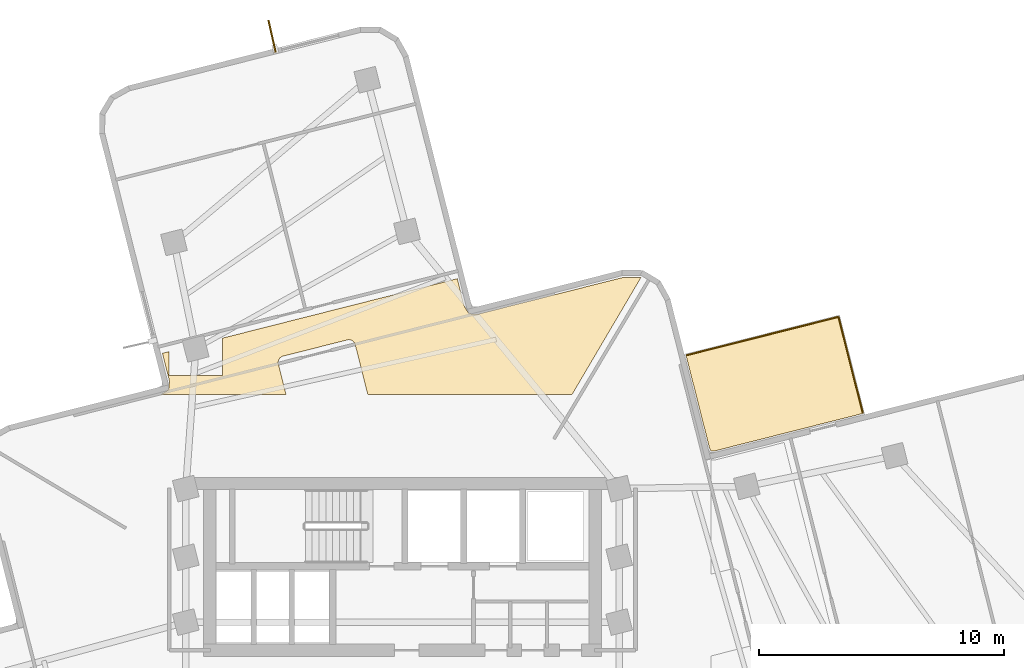
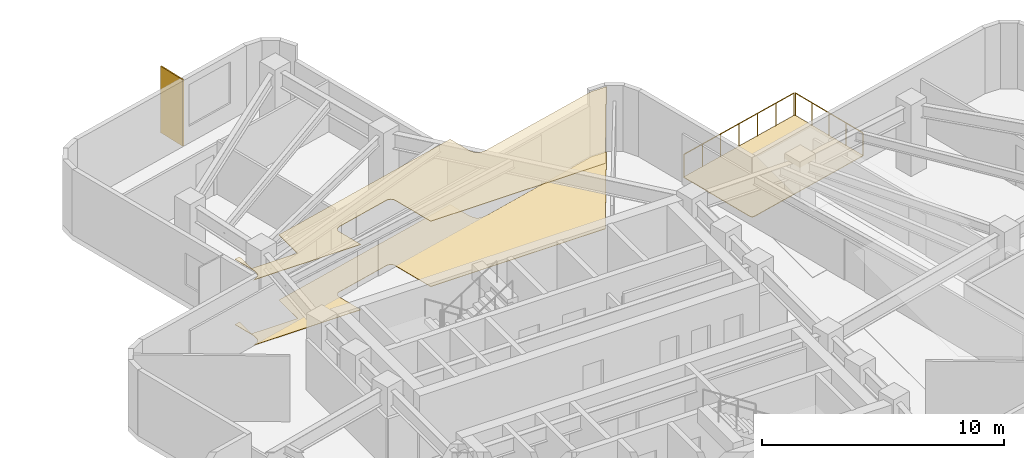
# One storey, part 9 of 9: 3 coverings, 2 railings, 1 shading device.
"""IFC4 building model written with IfcOpenShell, lengths in metres."""

from ifc_helpers import new_model, si_unit, direction, frame, origin, origin_2d, place, context, subcontext, project, spatial, polyline, rectangle, circle, outline, extrude, material, layer, layer_set, type_object, element, save


model = new_model("IFC4")

# Units and contexts
model_context = context("Model", 3, precision=1e-05, world=origin(), true_north=direction((0.0, 1.0)))
body_context = subcontext(model_context, "Body", "Model", "MODEL_VIEW")
ifc_project = project(units=[si_unit("LENGTHUNIT", "METRE"), si_unit("AREAUNIT", "SQUARE_METRE"), si_unit("VOLUMEUNIT", "CUBIC_METRE"), si_unit("PLANEANGLEUNIT", "RADIAN"), si_unit("MASSUNIT", "GRAM", prefix="KILO")], contexts=[model_context])

# Site, building, storey
site_placement = place(None, origin())
site = spatial("IfcSite", under=ifc_project, at=site_placement, CompositionType="ELEMENT")
building_placement = place(site_placement, origin())
building = spatial("IfcBuilding", under=site, at=building_placement, Name="Solmarez Civic Tower", CompositionType="ELEMENT")
storey_placement = place(building_placement, frame((0.0, 0.0, 130.679931640625)))
storey = spatial("IfcBuildingStorey", under=building, at=storey_placement, Name="L34", CompositionType="ELEMENT", Elevation=130.679931640625)

# Coverings
ifc_material_1 = material(Name="Perforated Mineral-Fibre Acoustic Ceiling")
ifc_layer_1 = layer(ifc_material_1, 0.02490234375)
ifc_layer_set_1 = layer_set([ifc_layer_1], Name="Perforated Mineral-Fibre Acoustic Ceiling")
covering_type_1 = type_object("IfcCoveringType", Name="COV-CEIL-ACOUSTIC", PredefinedType="CEILING", material=ifc_layer_set_1)
covering_1_placement = place(storey_placement, frame((0.0, 0.0, 3.295166015625)))
element("IfcCovering", 1, at=covering_1_placement, inside=storey, type_object=covering_type_1, Name="L34 Suspended Acoustic Ceiling 3", PredefinedType="CEILING", context=body_context, shape_type="SweptSolid", body=[
    extrude(outline(polyline([(-9.803955078125, 13.87890625), (-9.533935546875, 12.81201171875), (-9.530029296875, 12.79296875), (-9.527099609375, 12.77197265625), (-9.527099609375, 12.762939453125), (-9.52490234375, 12.7529296875), (-9.52490234375, 12.735107421875), (-9.528076171875, 12.56494140625), (-9.528076171875, 12.55908203125), (-9.530029296875, 12.531982421875), (-9.531005859375, 12.52392578125), (-9.532958984375, 12.507080078125), (-9.537109375, 12.490966796875), (-9.5390625, 12.48388671875), (-9.549072265625, 12.45703125), (-9.552001953125, 12.449951171875), (-9.554931640625, 12.443115234375), (-9.56396484375, 12.425048828125), (-9.573974609375, 12.407958984375), (-9.577880859375, 12.402099609375), (-9.58203125, 12.39599609375), (-9.5869140625, 12.388916015625), (-9.597900390625, 12.375), (-9.610107421875, 12.361083984375), (-9.614990234375, 12.35595703125), (-9.6201171875, 12.35107421875), (-9.635009765625, 12.337890625), (-9.64111328125, 12.3330078125), (-9.656982421875, 12.321044921875), (-9.673095703125, 12.31103515625), (-9.681884765625, 12.305908203125), (-9.83203125, 12.221923828125), (-9.841064453125, 12.217041015625), (-9.846923828125, 12.214111328125), (-9.85791015625, 12.208984375), (-9.864990234375, 12.2060546875), (-9.881103515625, 12.199951171875), (-4.758056640625, 12.199951171875), (-5.070068359375, 13.43701171875), (-5.072021484375, 13.443115234375), (-5.073974609375, 13.451904296875), (-5.077880859375, 13.47607421875), (-5.0791015625, 13.5), (-5.0791015625, 13.5048828125), (-5.077880859375, 13.527099609375), (-5.076904296875, 13.531982421875), (-5.076904296875, 13.5380859375), (-5.072998046875, 13.56103515625), (-5.06689453125, 13.5830078125), (-5.05908203125, 13.60400390625), (-5.055908203125, 13.611083984375), (-5.0458984375, 13.633056640625), (-5.033935546875, 13.653076171875), (-5.01904296875, 13.672119140625), (-5.012939453125, 13.678955078125), (-5.001953125, 13.69189453125), (-4.9951171875, 13.698974609375), (-4.970947265625, 13.718994140625), (-4.967041015625, 13.721923828125), (-4.946044921875, 13.736083984375), (-4.924072265625, 13.7470703125), (-4.9150390625, 13.7509765625), (-4.89306640625, 13.760009765625), (-4.875, 13.763916015625), (-2.258056640625, 14.426025390625), (-2.2470703125, 14.428955078125), (-2.241943359375, 14.429931640625), (-2.222900390625, 14.43310546875), (-2.214111328125, 14.43408203125), (-2.19091796875, 14.43505859375), (-2.16796875, 14.43408203125), (-2.157958984375, 14.43310546875), (-2.135009765625, 14.428955078125), (-2.112060546875, 14.423095703125), (-2.091064453125, 14.4150390625), (-2.083984375, 14.412109375), (-2.06201171875, 14.402099609375), (-2.0419921875, 14.389892578125), (-2.02294921875, 14.375), (-2.01708984375, 14.3701171875), (-2.007080078125, 14.362060546875), (-1.991943359375, 14.346923828125), (-1.97900390625, 14.3310546875), (-1.972900390625, 14.322998046875), (-1.958984375, 14.302001953125), (-1.947998046875, 14.280029296875), (-1.944091796875, 14.27099609375), (-1.93505859375, 14.2490234375), (-1.930908203125, 14.23095703125), (-1.4169921875, 12.199951171875), (6.927001953125, 12.199951171875), (9.735107421875, 16.968017578125), (9.72900390625, 16.971923828125), (9.02099609375, 16.98193359375), (3.1259765625, 15.489990234375), (3.10791015625, 15.486083984375), (3.10205078125, 15.485107421875), (3.096923828125, 15.48388671875), (3.090087890625, 15.48291015625), (3.05908203125, 15.48095703125), (3.049072265625, 15.48095703125), (2.876953125, 15.48291015625), (2.85302734375, 15.485107421875), (2.841064453125, 15.486083984375), (2.833984375, 15.487060546875), (2.81201171875, 15.491943359375), (2.803955078125, 15.493896484375), (2.787109375, 15.4990234375), (2.77001953125, 15.5048828125), (2.762939453125, 15.508056640625), (2.756103515625, 15.510986328125), (2.738037109375, 15.52001953125), (2.720947265625, 15.530029296875), (2.7041015625, 15.5400390625), (2.68896484375, 15.552001953125), (2.674072265625, 15.56494140625), (2.6689453125, 15.570068359375), (2.656005859375, 15.5849609375), (2.65087890625, 15.591064453125), (2.64599609375, 15.596923828125), (2.632080078125, 15.615966796875), (2.6279296875, 15.6220703125), (2.618896484375, 15.636962890625), (2.534912109375, 15.7880859375), (2.530029296875, 15.797119140625), (2.527099609375, 15.802978515625), (2.52392578125, 15.80908203125), (2.51611328125, 15.826904296875), (2.509033203125, 15.846923828125), (2.507080078125, 15.85400390625), (2.506103515625, 15.860107421875), (2.237060546875, 16.926025390625), (-7.344970703125, 14.5009765625), (-7.344970703125, 12.964111328125), (-9.544921875, 12.964111328125), (-9.544921875, 13.944091796875), (-9.803955078125, 13.87890625)])), origin(), (0.0, 0.0, 1.0), 0.02490234375),
])
ifc_material_2 = material(Name="Polished Tropical Stone Terrazzo Flooring", Category="masonry")
ifc_layer_2 = layer(ifc_material_2, 0.02001953125)
ifc_layer_set_2 = layer_set([ifc_layer_2], Name="Polished Tropical Stone Terrazzo Flooring")
covering_type_2 = type_object("IfcCoveringType", Name="COV-FLOOR-TERRAZZO", PredefinedType="FLOORING", material=ifc_layer_set_2)
covering_2_placement = place(storey_placement, origin())
element("IfcCovering", 2, at=covering_2_placement, inside=storey, type_object=covering_type_2, Name="L34 Terrazzo Floor Finish 3", PredefinedType="FLOORING", context=body_context, shape_type="SweptSolid", body=[
    extrude(outline(polyline([(-9.803955078125, 13.87890625), (-9.533935546875, 12.81201171875), (-9.530029296875, 12.79296875), (-9.527099609375, 12.77197265625), (-9.527099609375, 12.762939453125), (-9.52490234375, 12.7529296875), (-9.52490234375, 12.735107421875), (-9.528076171875, 12.56494140625), (-9.528076171875, 12.55908203125), (-9.530029296875, 12.531982421875), (-9.531005859375, 12.52392578125), (-9.532958984375, 12.507080078125), (-9.537109375, 12.490966796875), (-9.5390625, 12.48388671875), (-9.549072265625, 12.45703125), (-9.552001953125, 12.449951171875), (-9.554931640625, 12.443115234375), (-9.56396484375, 12.425048828125), (-9.573974609375, 12.407958984375), (-9.577880859375, 12.402099609375), (-9.58203125, 12.39599609375), (-9.5869140625, 12.388916015625), (-9.597900390625, 12.375), (-9.610107421875, 12.361083984375), (-9.614990234375, 12.35595703125), (-9.6201171875, 12.35107421875), (-9.635009765625, 12.337890625), (-9.64111328125, 12.3330078125), (-9.656982421875, 12.321044921875), (-9.673095703125, 12.31103515625), (-9.681884765625, 12.305908203125), (-9.83203125, 12.221923828125), (-9.841064453125, 12.217041015625), (-9.846923828125, 12.214111328125), (-9.85791015625, 12.208984375), (-9.864990234375, 12.2060546875), (-9.881103515625, 12.199951171875), (-4.758056640625, 12.199951171875), (-5.070068359375, 13.43701171875), (-5.072021484375, 13.443115234375), (-5.073974609375, 13.451904296875), (-5.077880859375, 13.47607421875), (-5.0791015625, 13.5), (-5.0791015625, 13.5048828125), (-5.077880859375, 13.527099609375), (-5.076904296875, 13.531982421875), (-5.076904296875, 13.5380859375), (-5.072998046875, 13.56103515625), (-5.06689453125, 13.5830078125), (-5.05908203125, 13.60400390625), (-5.055908203125, 13.611083984375), (-5.0458984375, 13.633056640625), (-5.033935546875, 13.653076171875), (-5.01904296875, 13.672119140625), (-5.012939453125, 13.678955078125), (-5.001953125, 13.69189453125), (-4.9951171875, 13.698974609375), (-4.970947265625, 13.718994140625), (-4.967041015625, 13.721923828125), (-4.946044921875, 13.736083984375), (-4.924072265625, 13.7470703125), (-4.9150390625, 13.7509765625), (-4.89306640625, 13.760009765625), (-4.875, 13.763916015625), (-2.258056640625, 14.426025390625), (-2.2470703125, 14.428955078125), (-2.241943359375, 14.429931640625), (-2.222900390625, 14.43310546875), (-2.214111328125, 14.43408203125), (-2.19091796875, 14.43505859375), (-2.16796875, 14.43408203125), (-2.157958984375, 14.43310546875), (-2.135009765625, 14.428955078125), (-2.112060546875, 14.423095703125), (-2.091064453125, 14.4150390625), (-2.083984375, 14.412109375), (-2.06201171875, 14.402099609375), (-2.0419921875, 14.389892578125), (-2.02294921875, 14.375), (-2.01708984375, 14.3701171875), (-2.007080078125, 14.362060546875), (-1.991943359375, 14.346923828125), (-1.97900390625, 14.3310546875), (-1.972900390625, 14.322998046875), (-1.958984375, 14.302001953125), (-1.947998046875, 14.280029296875), (-1.944091796875, 14.27099609375), (-1.93505859375, 14.2490234375), (-1.930908203125, 14.23095703125), (-1.4169921875, 12.199951171875), (6.927001953125, 12.199951171875), (9.735107421875, 16.968017578125), (9.72900390625, 16.971923828125), (9.02099609375, 16.98193359375), (3.1259765625, 15.489990234375), (3.10791015625, 15.486083984375), (3.10205078125, 15.485107421875), (3.096923828125, 15.48388671875), (3.090087890625, 15.48291015625), (3.05908203125, 15.48095703125), (3.049072265625, 15.48095703125), (2.876953125, 15.48291015625), (2.85302734375, 15.485107421875), (2.841064453125, 15.486083984375), (2.833984375, 15.487060546875), (2.81201171875, 15.491943359375), (2.803955078125, 15.493896484375), (2.787109375, 15.4990234375), (2.77001953125, 15.5048828125), (2.762939453125, 15.508056640625), (2.756103515625, 15.510986328125), (2.738037109375, 15.52001953125), (2.720947265625, 15.530029296875), (2.7041015625, 15.5400390625), (2.68896484375, 15.552001953125), (2.674072265625, 15.56494140625), (2.6689453125, 15.570068359375), (2.656005859375, 15.5849609375), (2.65087890625, 15.591064453125), (2.64599609375, 15.596923828125), (2.632080078125, 15.615966796875), (2.6279296875, 15.6220703125), (2.618896484375, 15.636962890625), (2.534912109375, 15.7880859375), (2.530029296875, 15.797119140625), (2.527099609375, 15.802978515625), (2.52392578125, 15.80908203125), (2.51611328125, 15.826904296875), (2.509033203125, 15.846923828125), (2.507080078125, 15.85400390625), (2.506103515625, 15.860107421875), (2.237060546875, 16.926025390625), (-7.344970703125, 14.5009765625), (-7.344970703125, 12.964111328125), (-9.544921875, 12.964111328125), (-9.544921875, 13.944091796875), (-9.803955078125, 13.87890625)])), origin(), (0.0, 0.0, 1.0), 0.02001953125),
])
ifc_material_3 = material(Name="Elastomeric Terrace Waterproofing Membrane")
ifc_layer_3 = layer(ifc_material_3, 0.030029296875)
ifc_layer_set_3 = layer_set([ifc_layer_3], Name="Elastomeric Terrace Waterproofing Membrane")
covering_type_3 = type_object("IfcCoveringType", Name="COV-MEMBRANE-ROOF", PredefinedType="ROOFING", material=ifc_layer_set_3)
covering_3_placement = place(storey_placement, origin())
element("IfcCovering", 3, at=covering_3_placement, inside=storey, type_object=covering_type_3, Name="L34 Balcony Waterproofing NE", PredefinedType="ROOFING", context=body_context, shape_type="SweptSolid", body=[
    extrude(outline(polyline([(12.5419921875, 10.0009765625), (12.60498046875, 9.888916015625), (12.73193359375, 9.886962890625), (18.81201171875, 11.425048828125), (17.81201171875, 15.37890625), (11.580078125, 13.802978515625), (12.5419921875, 10.0009765625)])), origin(), (0.0, 0.0, 1.0), 0.030029296875),
])

# Shading device
ifc_material_4 = material(Name="Bronze Anodised Aluminium EN AW-6063 T6", Category="aluminium")
ifc_layer_4 = layer(ifc_material_4, 0.06005859375)
ifc_layer_set_4 = layer_set([ifc_layer_4], Name="Bronze Anodised Aluminium EN AW-6063 T6")
shading_device_type = type_object("IfcShadingDeviceType", Name="FIN-BRONZE-Z34", PredefinedType="USERDEFINED", material=ifc_layer_set_4)
shading_device_placement = place(storey_placement, frame((-5.327880859375, 26.827880859375, -0.0400390625), z_axis=(0.0, 0.0, 1.0), x_axis=(-0.220391011309, 0.97541160652, 0.0)))
element("IfcShadingDevice", 4, at=shading_device_placement, inside=storey, type_object=shading_device_type, Name="L34 Anodised Bronze Solar Fin FIN-L34-04", ObjectType="FIN", PredefinedType="USERDEFINED", context=body_context, shape_type="SweptSolid", body=[
    extrude(rectangle(XDim=1.35009765625, YDim=0.06005859375, at=origin_2d()), origin(), (0.0, 0.0, 1.0), 3.360107421875),
])

# Railings
ifc_material_5 = material(Name="Bronze Anodised Aluminium and Laminated Safety Glass Balustrade", Category="aluminium")
railing_type = type_object("IfcRailingType", Name="GUARD-TERR-1180", PredefinedType="BALUSTRADE", material=ifc_material_5)
railing_1_placement = place(storey_placement, frame((18.802978515625, 11.458984375, 0.0)))
element("IfcRailing", 5, at=railing_1_placement, inside=storey, type_object=railing_type, Name="L34 Safety Balustrade GRD-BALC-L34-NE-1", PredefinedType="BALUSTRADE", context=body_context, shape_type="SweptSolid", body=[
    extrude(circle(Radius=0.02392578125, at=origin_2d()), frame((0.0, 0.0, 1.15576171875), z_axis=(-0.24498563911, 0.969526707538, 0.0), x_axis=(-0.969526707538, -0.24498563911, 0.0)), (0.0, 0.0, 1.0), 4.008056640625),
    extrude(circle(Radius=0.02099609375, at=origin_2d()), origin(), (0.0, 0.0, 1.0), 1.1318359375),
    extrude(circle(Radius=0.02099609375, at=origin_2d()), frame((-0.24560546875, 0.971435546875, 0.0)), (0.0, 0.0, 1.0), 1.1318359375),
    extrude(circle(Radius=0.02099609375, at=origin_2d()), frame((-0.490966796875, 1.94287109375, 0.0)), (0.0, 0.0, 1.0), 1.1318359375),
    extrude(circle(Radius=0.02099609375, at=origin_2d()), frame((-0.736328125, 2.91455078125, 0.0)), (0.0, 0.0, 1.0), 1.1318359375),
    extrude(circle(Radius=0.02099609375, at=origin_2d()), frame((-0.98193359375, 3.885986328125, 0.0)), (0.0, 0.0, 1.0), 1.1318359375),
])
railing_2_placement = place(storey_placement, frame((17.778076171875, 15.3701171875, 0.0)))
element("IfcRailing", 6, at=railing_2_placement, inside=storey, type_object=railing_type, Name="L34 Safety Balustrade GRD-BALC-L34-NE-2", PredefinedType="BALUSTRADE", context=body_context, shape_type="SweptSolid", body=[
    extrude(circle(Radius=0.02392578125, at=origin_2d()), frame((0.0, 0.0, 1.15576171875), z_axis=(-0.969506741759, -0.245064639809, 0.0), x_axis=(0.245064639809, -0.969506741759, 0.0)), (0.0, 0.0, 1.0), 6.35791015625),
    extrude(circle(Radius=0.02099609375, at=origin_2d()), origin(), (0.0, 0.0, 1.0), 1.1318359375),
    extrude(circle(Radius=0.02099609375, at=origin_2d()), frame((-1.02734375, -0.259765625, 0.0)), (0.0, 0.0, 1.0), 1.1318359375),
    extrude(circle(Radius=0.02099609375, at=origin_2d()), frame((-2.0546875, -0.519287109375, 0.0)), (0.0, 0.0, 1.0), 1.1318359375),
    extrude(circle(Radius=0.02099609375, at=origin_2d()), frame((-3.08203125, -0.779052734375, 0.0)), (0.0, 0.0, 1.0), 1.1318359375),
    extrude(circle(Radius=0.02099609375, at=origin_2d()), frame((-4.109375, -1.038818359375, 0.0)), (0.0, 0.0, 1.0), 1.1318359375),
    extrude(circle(Radius=0.02099609375, at=origin_2d()), frame((-5.13671875, -1.29833984375, 0.0)), (0.0, 0.0, 1.0), 1.1318359375),
    extrude(circle(Radius=0.02099609375, at=origin_2d()), frame((-6.1640625, -1.55810546875, 0.0)), (0.0, 0.0, 1.0), 1.1318359375),
])

save(model, "model.ifc")
